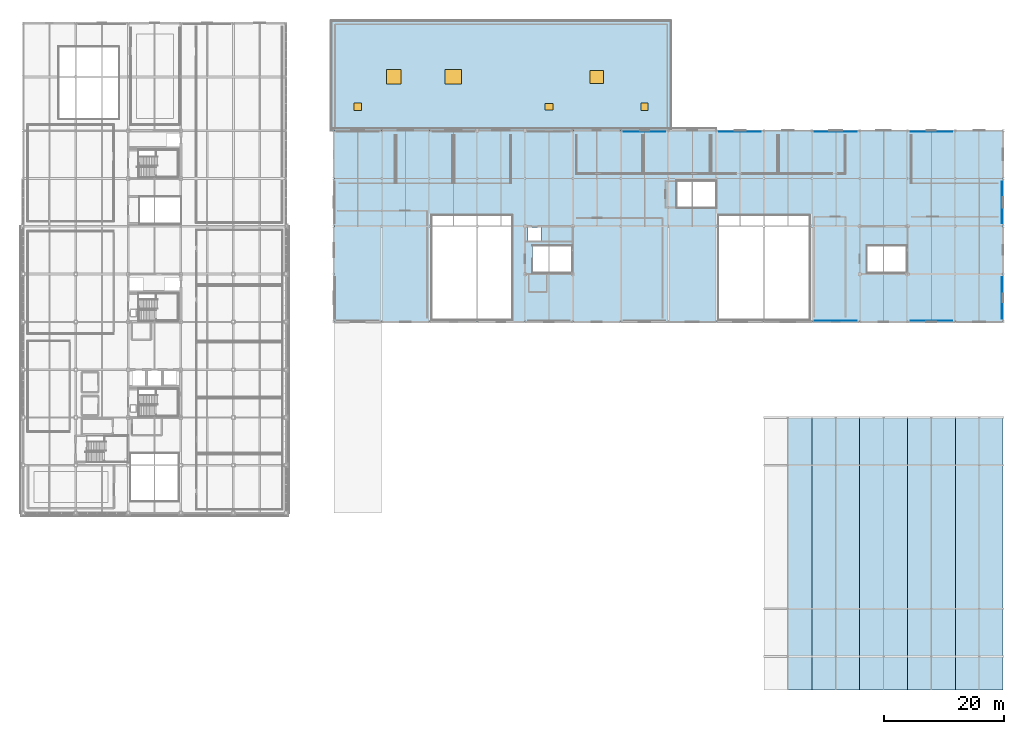
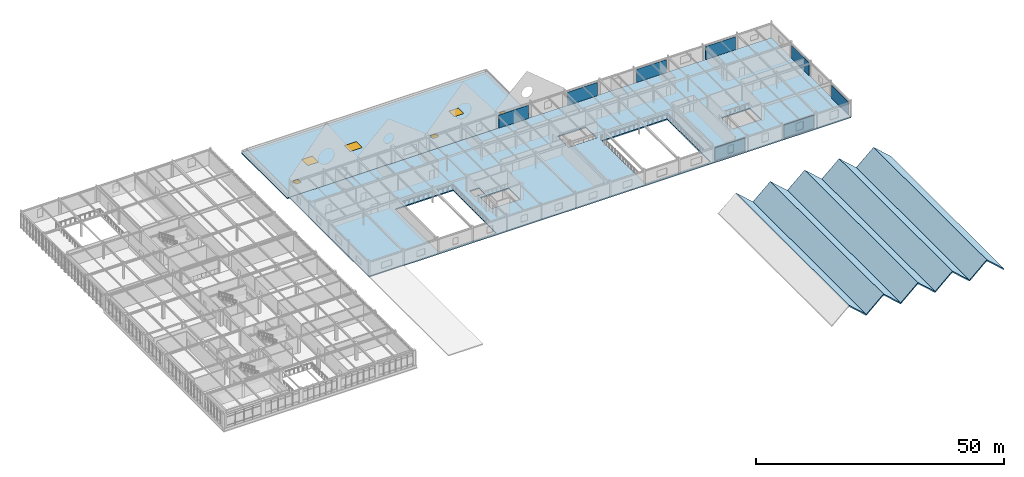
# One storey, part 46 of 88: 11 slabs, 8 plates, 3 doors, 3 windows, 6 openings.
"""IFC4 building model written with IfcOpenShell, lengths in metres."""

from ifc_helpers import new_model, si_unit, direction, frame, origin, origin_2d, place, context, subcontext, project, spatial, polyline, rectangle, outline, extrude, material, layer, layer_set, type_object, element, fill, save


model = new_model("IFC4")

# Units and contexts
model_context = context("Model", 3, precision=1e-05, world=origin(), true_north=direction((0.0, 1.0)))
body_context = subcontext(model_context, "Body", "Model", "MODEL_VIEW")
ifc_project = project(units=[si_unit("LENGTHUNIT", "METRE"), si_unit("AREAUNIT", "SQUARE_METRE"), si_unit("VOLUMEUNIT", "CUBIC_METRE"), si_unit("PLANEANGLEUNIT", "RADIAN"), si_unit("MASSUNIT", "GRAM", prefix="KILO")], contexts=[model_context])

# Site, building, storey
site_placement = place(None, origin())
site = spatial("IfcSite", under=ifc_project, at=site_placement, CompositionType="ELEMENT")
building_placement = place(site_placement, origin())
building = spatial("IfcBuilding", under=site, at=building_placement, Name="Zhaolan Boulevard Law Courts", CompositionType="ELEMENT")
storey_placement = place(building_placement, frame((0.0, 0.0, 16.199951171875)))
storey = spatial("IfcBuildingStorey", under=building, at=storey_placement, Name="L03", CompositionType="ELEMENT", Elevation=16.199951171875)

# Slab, openings, doors, windows
ifc_material_1 = material(Name="Concrete C40", Category="concrete")
ifc_layer_1 = layer(ifc_material_1, 0.260009765625)
ifc_layer_set_1 = layer_set([ifc_layer_1])
slab_type_1 = type_object("IfcSlabType", Name="FLAT ROOF SLAB 260", PredefinedType="ROOF", material=ifc_layer_set_1)
slab_1_placement = place(storey_placement, frame((0.0, 0.0, -0.260009765625)))
slab_1 = element("IfcSlab", 1, at=slab_1_placement, inside=storey, type_object=slab_type_1, Name="Slab SLB-L03-V6RF", PredefinedType="ROOF", context=body_context, shape_type="SweptSolid", body=[
    extrude(outline(polyline([(51.47998046875, 94.0), (108.52001953125, 94.0), (108.52001953125, 112.52001953125), (51.47998046875, 112.52001953125), (51.47998046875, 94.0)]), holes=[polyline([(60.800048828125, 101.800048828125), (63.199951171875, 101.800048828125), (63.199951171875, 104.199951171875), (60.800048828125, 104.199951171875), (60.800048828125, 101.800048828125)]), polyline([(70.60009765625, 101.800048828125), (73.39990234375, 101.800048828125), (73.39990234375, 104.199951171875), (70.60009765625, 104.199951171875), (70.60009765625, 101.800048828125)]), polyline([(94.89990234375, 101.89990234375), (97.10009765625, 101.89990234375), (97.10009765625, 104.10009765625), (94.89990234375, 104.10009765625), (94.89990234375, 101.89990234375)]), polyline([(55.39990234375, 97.39990234375), (56.60009765625, 97.39990234375), (56.60009765625, 98.60009765625), (55.39990234375, 98.60009765625), (55.39990234375, 97.39990234375)]), polyline([(87.300048828125, 97.449951171875), (88.699951171875, 97.449951171875), (88.699951171875, 98.550048828125), (87.300048828125, 98.550048828125), (87.300048828125, 97.449951171875)]), polyline([(103.39990234375, 97.39990234375), (104.60009765625, 97.39990234375), (104.60009765625, 98.60009765625), (103.39990234375, 98.60009765625), (103.39990234375, 97.39990234375)])]), origin(), (0.0, 0.0, 1.0), 0.260009765625),
])
opening_1_placement = place(slab_1_placement, frame((62.0, 103.0, 0.0)))
opening_1 = element("IfcOpeningElement", 2, at=opening_1_placement, cuts=slab_1, Name="Opening SKY-06", PredefinedType="OPENING", context=body_context, shape_type="SweptSolid", body=[
    extrude(rectangle(XDim=2.39990234375, YDim=2.39990234375, at=origin_2d()), origin(), (0.0, 0.0, 1.0), 0.260009765625),
])
opening_2_placement = place(slab_1_placement, frame((72.0, 103.0, 0.0)))
opening_2 = element("IfcOpeningElement", 3, at=opening_2_placement, cuts=slab_1, Name="Opening SKY-07", PredefinedType="OPENING", context=body_context, shape_type="SweptSolid", body=[
    extrude(rectangle(XDim=2.800048828125, YDim=2.39990234375, at=origin_2d()), origin(), (0.0, 0.0, 1.0), 0.260009765625),
])
opening_3_placement = place(slab_1_placement, frame((96.0, 103.0, 0.0)))
opening_3 = element("IfcOpeningElement", 4, at=opening_3_placement, cuts=slab_1, Name="Opening SKY-08", PredefinedType="OPENING", context=body_context, shape_type="SweptSolid", body=[
    extrude(rectangle(XDim=2.199951171875, YDim=2.199951171875, at=origin_2d()), origin(), (0.0, 0.0, 1.0), 0.260009765625),
])
opening_4_placement = place(slab_1_placement, frame((56.0, 98.0, 0.0)))
opening_4 = element("IfcOpeningElement", 5, at=opening_4_placement, cuts=slab_1, Name="Opening RH-04", PredefinedType="OPENING", context=body_context, shape_type="SweptSolid", body=[
    extrude(rectangle(XDim=1.199951171875, YDim=1.199951171875, at=origin_2d()), origin(), (0.0, 0.0, 1.0), 0.260009765625),
])
opening_5_placement = place(slab_1_placement, frame((88.0, 98.0, 0.0)))
opening_5 = element("IfcOpeningElement", 6, at=opening_5_placement, cuts=slab_1, Name="Opening RH-05", PredefinedType="OPENING", context=body_context, shape_type="SweptSolid", body=[
    extrude(rectangle(XDim=1.39990234375, YDim=1.10009765625, at=origin_2d()), origin(), (0.0, 0.0, 1.0), 0.260009765625),
])
opening_6_placement = place(slab_1_placement, frame((104.0, 98.0, 0.0)))
opening_6 = element("IfcOpeningElement", 7, at=opening_6_placement, cuts=slab_1, Name="Opening RH-06", PredefinedType="OPENING", context=body_context, shape_type="SweptSolid", body=[
    extrude(rectangle(XDim=1.199951171875, YDim=1.199951171875, at=origin_2d()), origin(), (0.0, 0.0, 1.0), 0.260009765625),
])
ifc_material_2 = material(Name="Insulated powder-coated steel and safety glass", Category="steel")
door_type_1 = type_object("IfcDoorType", Name="ROOF HATCH 1200X1200", OperationType="SINGLE_SWING_LEFT", PredefinedType="TRAPDOOR", material=ifc_material_2)
door_1_placement = place(opening_4_placement, frame((0.0, 0.0, 0.2099609375)))
door_1 = element("IfcDoor", 8, at=door_1_placement, inside=storey, type_object=door_type_1, Name="Roof Maintenance Access Hatch RH-04", OperationType="SINGLE_SWING_LEFT", OverallHeight=1.199951171875, OverallWidth=1.199951171875, PredefinedType="TRAPDOOR", context=body_context, shape_type="SweptSolid", body=[
    extrude(rectangle(XDim=1.199951171875, YDim=1.199951171875, at=origin_2d()), origin(), (0.0, 0.0, 1.0), 0.050048828125),
])
fill(opening_4, door_1)
door_2_placement = place(opening_6_placement, frame((0.0, 0.0, 0.2099609375)))
door_2 = element("IfcDoor", 9, at=door_2_placement, inside=storey, type_object=door_type_1, Name="Roof Maintenance Access Hatch RH-06", OperationType="SINGLE_SWING_LEFT", OverallHeight=1.199951171875, OverallWidth=1.199951171875, PredefinedType="TRAPDOOR", context=body_context, shape_type="SweptSolid", body=[
    extrude(rectangle(XDim=1.199951171875, YDim=1.199951171875, at=origin_2d()), origin(), (0.0, 0.0, 1.0), 0.050048828125),
])
fill(opening_6, door_2)
ifc_material_3 = material(Name="Insulated powder-coated steel and safety glass", Category="steel")
door_type_2 = type_object("IfcDoorType", Name="ROOF HATCH 1400X1100", OperationType="SINGLE_SWING_RIGHT", PredefinedType="TRAPDOOR", material=ifc_material_3)
door_3_placement = place(opening_5_placement, frame((0.0, 0.0, 0.2099609375)))
door_3 = element("IfcDoor", 10, at=door_3_placement, inside=storey, type_object=door_type_2, Name="Roof Maintenance Access Hatch RH-05", OperationType="SINGLE_SWING_LEFT", OverallHeight=1.10009765625, OverallWidth=1.39990234375, PredefinedType="TRAPDOOR", context=body_context, shape_type="SweptSolid", body=[
    extrude(rectangle(XDim=1.39990234375, YDim=1.10009765625, at=origin_2d()), origin(), (0.0, 0.0, 1.0), 0.050048828125),
])
fill(opening_5, door_3)
ifc_material_4 = material(Name="Laminated solar-control skylight glazing", Category="glass")
window_type_1 = type_object("IfcWindowType", Name="SKYLIGHT 2200X2200", PartitioningType="SINGLE_PANEL", PredefinedType="SKYLIGHT", material=ifc_material_4)
window_1_placement = place(opening_3_placement, frame((0.0, 0.0, 0.2099609375)))
window_1 = element("IfcWindow", 11, at=window_1_placement, inside=storey, type_object=window_type_1, Name="Roof Skylight SKY-08", OverallHeight=2.199951171875, OverallWidth=2.199951171875, PartitioningType="SINGLE_PANEL", PredefinedType="SKYLIGHT", context=body_context, shape_type="SweptSolid", body=[
    extrude(rectangle(XDim=2.199951171875, YDim=2.199951171875, at=origin_2d()), origin(), (0.0, 0.0, 1.0), 0.050048828125),
])
fill(opening_3, window_1)
ifc_material_5 = material(Name="Laminated solar-control skylight glazing", Category="glass")
window_type_2 = type_object("IfcWindowType", Name="SKYLIGHT 2400X2400", PartitioningType="SINGLE_PANEL", PredefinedType="SKYLIGHT", material=ifc_material_5)
window_2_placement = place(opening_1_placement, frame((0.0, 0.0, 0.2099609375)))
window_2 = element("IfcWindow", 12, at=window_2_placement, inside=storey, type_object=window_type_2, Name="Roof Skylight SKY-06", OverallHeight=2.39990234375, OverallWidth=2.39990234375, PartitioningType="SINGLE_PANEL", PredefinedType="SKYLIGHT", context=body_context, shape_type="SweptSolid", body=[
    extrude(rectangle(XDim=2.39990234375, YDim=2.39990234375, at=origin_2d()), origin(), (0.0, 0.0, 1.0), 0.050048828125),
])
fill(opening_1, window_2)
ifc_material_6 = material(Name="Laminated solar-control skylight glazing", Category="glass")
window_type_3 = type_object("IfcWindowType", Name="SKYLIGHT 2800X2400", PartitioningType="SINGLE_PANEL", PredefinedType="SKYLIGHT", material=ifc_material_6)
window_3_placement = place(opening_2_placement, frame((0.0, 0.0, 0.2099609375)))
window_3 = element("IfcWindow", 13, at=window_3_placement, inside=storey, type_object=window_type_3, Name="Roof Skylight SKY-07", OverallHeight=2.39990234375, OverallWidth=2.800048828125, PartitioningType="SINGLE_PANEL", PredefinedType="SKYLIGHT", context=body_context, shape_type="SweptSolid", body=[
    extrude(rectangle(XDim=2.800048828125, YDim=2.39990234375, at=origin_2d()), origin(), (0.0, 0.0, 1.0), 0.050048828125),
])
fill(opening_2, window_3)

# Slabs
ifc_material_7 = material(Name="Concrete C40", Category="concrete")
ifc_layer_2 = layer(ifc_material_7, 0.280029296875)
ifc_layer_set_2 = layer_set([ifc_layer_2])
slab_type_2 = type_object("IfcSlabType", Name="FLOOR SLAB 280", PredefinedType="FLOOR", material=ifc_layer_set_2)
slab_2_placement = place(storey_placement, frame((0.0, 0.0, -0.280029296875)))
element("IfcSlab", 14, at=slab_2_placement, inside=storey, type_object=slab_type_2, Name="Slab SLB-L03-V2", PredefinedType="FLOOR", context=body_context, shape_type="SweptSolid", body=[
    extrude(outline(polyline([(52.0, 62.0), (164.0, 62.0), (164.0, 94.0), (52.0, 94.0), (52.0, 62.0)]), holes=[polyline([(84.5, 75.574951171875), (86.699951171875, 75.574951171875), (86.699951171875, 77.824951171875), (84.5, 77.824951171875), (84.5, 75.574951171875)]), polyline([(85.25, 70.25), (91.85009765625, 70.25), (91.85009765625, 74.75), (85.25, 74.75), (85.25, 70.25)]), polyline([(141.25, 70.25), (147.85009765625, 70.25), (147.85009765625, 74.75), (141.25, 74.75), (141.25, 70.25)]), polyline([(109.39990234375, 81.14990234375), (116.0, 81.14990234375), (116.0, 85.60009765625), (109.39990234375, 85.60009765625), (109.39990234375, 81.14990234375)]), polyline([(68.39990234375, 62.39990234375), (81.800048828125, 62.39990234375), (81.800048828125, 79.800048828125), (68.39990234375, 79.800048828125), (68.39990234375, 62.39990234375)]), polyline([(116.39990234375, 62.39990234375), (131.60009765625, 62.39990234375), (131.60009765625, 79.800048828125), (116.39990234375, 79.800048828125), (116.39990234375, 62.39990234375)])]), origin(), (0.0, 0.0, 1.0), 0.280029296875),
])
ifc_material_8 = material(Name="Concrete C40", Category="concrete")
ifc_layer_3 = layer(ifc_material_8, 0.239990234375)
ifc_layer_set_3 = layer_set([ifc_layer_3])
slab_type_3 = type_object("IfcSlabType", Name="FOLDED PLATE ROOF 240", PredefinedType="ROOF", material=ifc_layer_set_3)
slab_3_placement = place(storey_placement, frame((128.0, 46.0, 0.0), z_axis=(0.0, -1.0, 0.0), x_axis=(1.0, 0.0, 0.0)))
element("IfcSlab", 15, at=slab_3_placement, inside=storey, type_object=slab_type_3, Name="Ceremonial Folded-Plate Roof Facet FP-1E", PredefinedType="ROOF", context=body_context, shape_type="SweptSolid", body=[
    extrude(outline(polyline([(0.0, 3.60009765625), (4.0, 0.0), (4.0, -0.322998046875), (0.0, 3.277099609375), (0.0, 3.60009765625)])), origin(), (0.0, 0.0, 1.0), 45.60009765625),
])
slab_4_placement = place(storey_placement, frame((132.0, 46.0, 0.0), z_axis=(0.0, -1.0, 0.0), x_axis=(1.0, 0.0, 0.0)))
element("IfcSlab", 16, at=slab_4_placement, inside=storey, type_object=slab_type_3, Name="Ceremonial Folded-Plate Roof Facet FP-2W", PredefinedType="ROOF", context=body_context, shape_type="SweptSolid", body=[
    extrude(outline(polyline([(0.0, 0.0), (4.0, 3.60009765625), (4.0, 3.277099609375), (0.0, -0.322998046875), (0.0, 0.0)])), origin(), (0.0, 0.0, 1.0), 45.60009765625),
])
slab_5_placement = place(storey_placement, frame((136.0, 46.0, 0.0), z_axis=(0.0, -1.0, 0.0), x_axis=(1.0, 0.0, 0.0)))
element("IfcSlab", 17, at=slab_5_placement, inside=storey, type_object=slab_type_3, Name="Ceremonial Folded-Plate Roof Facet FP-2E", PredefinedType="ROOF", context=body_context, shape_type="SweptSolid", body=[
    extrude(outline(polyline([(0.0, 3.60009765625), (4.0, 0.0), (4.0, -0.322998046875), (0.0, 3.277099609375), (0.0, 3.60009765625)])), origin(), (0.0, 0.0, 1.0), 45.60009765625),
])
slab_6_placement = place(storey_placement, frame((140.0, 46.0, 0.0), z_axis=(0.0, -1.0, 0.0), x_axis=(1.0, 0.0, 0.0)))
element("IfcSlab", 18, at=slab_6_placement, inside=storey, type_object=slab_type_3, Name="Ceremonial Folded-Plate Roof Facet FP-3W", PredefinedType="ROOF", context=body_context, shape_type="SweptSolid", body=[
    extrude(outline(polyline([(0.0, 0.0), (4.0, 3.60009765625), (4.0, 3.277099609375), (0.0, -0.322998046875), (0.0, 0.0)])), origin(), (0.0, 0.0, 1.0), 45.60009765625),
])
slab_7_placement = place(storey_placement, frame((144.0, 46.0, 0.0), z_axis=(0.0, -1.0, 0.0), x_axis=(1.0, 0.0, 0.0)))
element("IfcSlab", 19, at=slab_7_placement, inside=storey, type_object=slab_type_3, Name="Ceremonial Folded-Plate Roof Facet FP-3E", PredefinedType="ROOF", context=body_context, shape_type="SweptSolid", body=[
    extrude(outline(polyline([(0.0, 3.60009765625), (4.0, 0.0), (4.0, -0.322998046875), (0.0, 3.277099609375), (0.0, 3.60009765625)])), origin(), (0.0, 0.0, 1.0), 45.60009765625),
])
slab_8_placement = place(storey_placement, frame((148.0, 46.0, 0.0), z_axis=(0.0, -1.0, 0.0), x_axis=(1.0, 0.0, 0.0)))
element("IfcSlab", 20, at=slab_8_placement, inside=storey, type_object=slab_type_3, Name="Ceremonial Folded-Plate Roof Facet FP-4W", PredefinedType="ROOF", context=body_context, shape_type="SweptSolid", body=[
    extrude(outline(polyline([(0.0, 0.0), (4.0, 3.60009765625), (4.0, 3.277099609375), (0.0, -0.322998046875), (0.0, 0.0)])), origin(), (0.0, 0.0, 1.0), 45.60009765625),
])
slab_9_placement = place(storey_placement, frame((152.0, 46.0, 0.0), z_axis=(0.0, -1.0, 0.0), x_axis=(1.0, 0.0, 0.0)))
element("IfcSlab", 21, at=slab_9_placement, inside=storey, type_object=slab_type_3, Name="Ceremonial Folded-Plate Roof Facet FP-4E", PredefinedType="ROOF", context=body_context, shape_type="SweptSolid", body=[
    extrude(outline(polyline([(0.0, 3.60009765625), (4.0, 0.0), (4.0, -0.322998046875), (0.0, 3.277099609375), (0.0, 3.60009765625)])), origin(), (0.0, 0.0, 1.0), 45.60009765625),
])
slab_10_placement = place(storey_placement, frame((156.0, 46.0, 0.0), z_axis=(0.0, -1.0, 0.0), x_axis=(1.0, 0.0, 0.0)))
element("IfcSlab", 22, at=slab_10_placement, inside=storey, type_object=slab_type_3, Name="Ceremonial Folded-Plate Roof Facet FP-5W", PredefinedType="ROOF", context=body_context, shape_type="SweptSolid", body=[
    extrude(outline(polyline([(0.0, 0.0), (4.0, 3.60009765625), (4.0, 3.277099609375), (0.0, -0.322998046875), (0.0, 0.0)])), origin(), (0.0, 0.0, 1.0), 45.60009765625),
])
slab_11_placement = place(storey_placement, frame((160.0, 46.0, 0.0), z_axis=(0.0, -1.0, 0.0), x_axis=(1.0, 0.0, 0.0)))
element("IfcSlab", 23, at=slab_11_placement, inside=storey, type_object=slab_type_3, Name="Ceremonial Folded-Plate Roof Facet FP-5E", PredefinedType="ROOF", context=body_context, shape_type="SweptSolid", body=[
    extrude(outline(polyline([(0.0, 3.60009765625), (4.0, 0.0), (4.0, -0.322998046875), (0.0, 3.277099609375), (0.0, 3.60009765625)])), origin(), (0.0, 0.0, 1.0), 45.60009765625),
])

# Plates
ifc_material_9 = material(Name="Pale mist-grey standing-seam Al-Mg-Mn zinc-titanium")
ifc_layer_4 = layer(ifc_material_9, 0.0400390625)
ifc_layer_set_4 = layer_set([ifc_layer_4])
plate_type_1 = type_object("IfcPlateType", Name="STANDING SEAM PLATE 40", PredefinedType="SHEET", material=ifc_layer_set_4)
for number, where, z_axis, x_axis, name in (
    (24, (152.0, 62.169921875, 0.1005859375), (0.0, 0.0, 1.0), (1.0, 0.0, 0.0), "Standing-Seam Metal Wall Cladding SSP-L03-282"),
    (25, (136.0, 93.830078125, 0.1005859375), (0.0, 0.0, 1.0), (-1.0, 0.0, 0.0), "Standing-Seam Metal Wall Cladding SSP-L03-294"),
):
    element("IfcPlate", number, at=place(storey_placement, frame(where, z_axis=z_axis, x_axis=x_axis)), inside=storey, type_object=plate_type_1, Name=name, PredefinedType="SHEET", context=body_context, shape_type="SweptSolid", body=[
        extrude(rectangle(XDim=6.9599609375, YDim=0.0400390625, at=origin_2d()), origin(), (0.0, 0.0, 1.0), 3.222900390625),
    ])
ifc_material_10 = material(Name="Pale mist-grey standing-seam Al-Mg-Mn zinc-titanium")
ifc_layer_5 = layer(ifc_material_10, 0.050048828125)
ifc_layer_set_5 = layer_set([ifc_layer_5])
plate_type_2 = type_object("IfcPlateType", Name="STANDING SEAM PLATE 50", PredefinedType="SHEET", material=ifc_layer_set_5)
for number, where, z_axis, x_axis, name in (
    (26, (104.0, 93.824951171875, 0.1005859375), (0.0, 0.0, 1.0), (-1.0, 0.0, 0.0), "Standing-Seam Metal Wall Cladding SSP-L03-290"),
    (27, (152.0, 93.824951171875, 0.1005859375), (0.0, 0.0, 1.0), (-1.0, 0.0, 0.0), "Standing-Seam Metal Wall Cladding SSP-L03-296"),
):
    element("IfcPlate", number, at=place(storey_placement, frame(where, z_axis=z_axis, x_axis=x_axis)), inside=storey, type_object=plate_type_2, Name=name, PredefinedType="SHEET", context=body_context, shape_type="SweptSolid", body=[
        extrude(rectangle(XDim=6.9599609375, YDim=0.050048828125, at=origin_2d()), origin(), (0.0, 0.0, 1.0), 3.222900390625),
    ])
plate_1_placement = place(storey_placement, frame((163.824951171875, 66.0, 0.1005859375), z_axis=(0.0, 0.0, 1.0), x_axis=(0.0, 1.0, 0.0)))
element("IfcPlate", 28, at=plate_1_placement, inside=storey, type_object=plate_type_2, Name="Standing-Seam Metal Wall Cladding SSP-L03-302", PredefinedType="SHEET", context=body_context, shape_type="SweptSolid", body=[
    extrude(rectangle(XDim=6.9599609375, YDim=0.050048828125, at=origin_2d()), origin(), (0.0, 0.0, 1.0), 3.18310546875),
])
ifc_material_11 = material(Name="Pale mist-grey standing-seam Al-Mg-Mn zinc-titanium")
ifc_layer_6 = layer(ifc_material_11, 0.06005859375)
ifc_layer_set_6 = layer_set([ifc_layer_6])
plate_type_3 = type_object("IfcPlateType", Name="STANDING SEAM PLATE 60", PredefinedType="SHEET", material=ifc_layer_set_6)
for number, where, z_axis, x_axis, name in (
    (29, (136.0, 62.179931640625, 0.1005859375), (0.0, 0.0, 1.0), (1.0, 0.0, 0.0), "Standing-Seam Metal Wall Cladding SSP-L03-280"),
    (30, (120.0, 93.820068359375, 0.1005859375), (0.0, 0.0, 1.0), (-1.0, 0.0, 0.0), "Standing-Seam Metal Wall Cladding SSP-L03-292"),
):
    element("IfcPlate", number, at=place(storey_placement, frame(where, z_axis=z_axis, x_axis=x_axis)), inside=storey, type_object=plate_type_3, Name=name, PredefinedType="SHEET", context=body_context, shape_type="SweptSolid", body=[
        extrude(rectangle(XDim=6.9599609375, YDim=0.06005859375, at=origin_2d()), origin(), (0.0, 0.0, 1.0), 3.222900390625),
    ])
plate_2_placement = place(storey_placement, frame((163.820068359375, 82.0, 0.1005859375), z_axis=(0.0, 0.0, 1.0), x_axis=(0.0, 1.0, 0.0)))
element("IfcPlate", 31, at=plate_2_placement, inside=storey, type_object=plate_type_3, Name="Standing-Seam Metal Wall Cladding SSP-L03-304", PredefinedType="SHEET", context=body_context, shape_type="SweptSolid", body=[
    extrude(rectangle(XDim=6.9599609375, YDim=0.06005859375, at=origin_2d()), origin(), (0.0, 0.0, 1.0), 3.18310546875),
])

save(model, "model.ifc")
